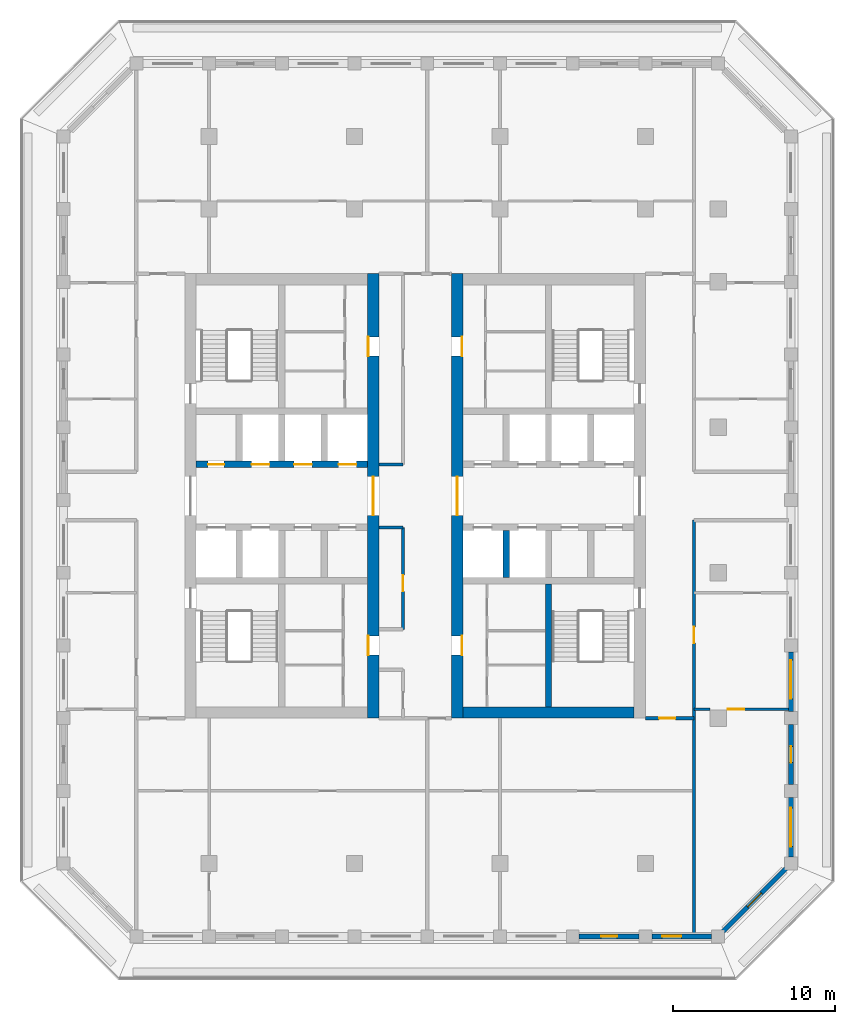
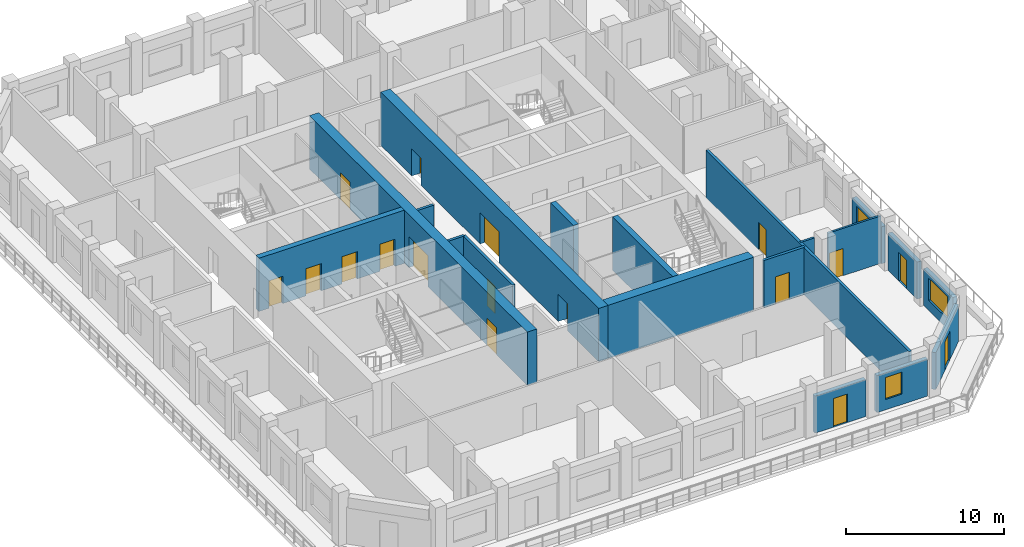
# One storey, part 4 of 17: 19 walls, 17 doors, 3 windows, 20 openings.
"""IFC4 building model written with IfcOpenShell, lengths in metres."""

from ifc_helpers import new_model, si_unit, direction, frame, frame_2d, origin, place, context, subcontext, project, spatial, rectangle, extrude, material, layer, layer_set, type_object, element, fill, save


model = new_model("IFC4")

# Units and contexts
model_context = context("Model", 3, precision=1e-05, world=origin(), true_north=direction((0.0, 1.0)))
body_context = subcontext(model_context, "Body", "Model", "MODEL_VIEW")
ifc_project = project(units=[si_unit("LENGTHUNIT", "METRE"), si_unit("AREAUNIT", "SQUARE_METRE"), si_unit("VOLUMEUNIT", "CUBIC_METRE"), si_unit("PLANEANGLEUNIT", "RADIAN"), si_unit("MASSUNIT", "GRAM", prefix="KILO")], contexts=[model_context])

# Site, building, storey
site_placement = place(None, origin())
site = spatial("IfcSite", under=ifc_project, at=site_placement, CompositionType="ELEMENT")
building_placement = place(site_placement, origin())
building = spatial("IfcBuilding", under=site, at=building_placement, Name="Corbel Stack Research Tower", CompositionType="ELEMENT")
storey_placement = place(building_placement, frame((0.0, 0.0, 243.89990234375)))
storey = spatial("IfcBuildingStorey", under=building, at=storey_placement, Name="L55", CompositionType="ELEMENT", Elevation=243.89990234375)

# Wall, openings, doors
ifc_material_1 = material(Name="Concrete C60/75", Category="concrete")
ifc_layer_1 = layer(ifc_material_1, 0.39990234375)
ifc_layer_set_1 = layer_set([ifc_layer_1], Name="Concrete C60/75")
wall_type_1 = type_object("IfcWallType", Name="CW-400-60", PredefinedType="SHEAR", material=ifc_layer_set_1)
wall_1_placement = place(storey_placement, frame((-9.800048828125, 6.699951171875, 0.0), z_axis=(0.0, 0.0, 1.0), x_axis=(1.0, 0.0, 0.0)))
wall_1 = element("IfcWall", 1, at=wall_1_placement, inside=storey, type_object=wall_type_1, Name="West core wall, lobby north L55", PredefinedType="SHEAR", context=body_context, shape_type="SweptSolid", body=[
    extrude(rectangle(XDim=10.60009765625, YDim=0.39990234375, at=frame_2d((5.300048828125, 0.0))), origin(), (0.0, 0.0, 1.0), 4.10009765625),
])
opening_1_placement = place(wall_1_placement, frame((3.4375, 0.0, 0.0)))
opening_1 = element("IfcOpeningElement", 2, at=opening_1_placement, cuts=wall_1, Name="Opening LD-HR1", PredefinedType="OPENING", context=body_context, shape_type="SweptSolid", body=[
    extrude(rectangle(XDim=1.10009765625, YDim=2.10009765625, at=frame_2d((0.550048828125, 1.050048828125))), frame((0.0, 0.2099609375, 0.0), z_axis=(0.0, -1.0, 0.0), x_axis=(1.0, 0.0, 0.0)), (0.0, 0.0, 1.0), 0.419921875),
])
opening_2_placement = place(wall_1_placement, frame((6.0625, 0.0, 0.0)))
opening_2 = element("IfcOpeningElement", 3, at=opening_2_placement, cuts=wall_1, Name="Opening LD-HR2", PredefinedType="OPENING", context=body_context, shape_type="SweptSolid", body=[
    extrude(rectangle(XDim=1.10009765625, YDim=2.10009765625, at=frame_2d((0.550048828125, 1.050048828125))), frame((0.0, 0.2099609375, 0.0), z_axis=(0.0, -1.0, 0.0), x_axis=(1.0, 0.0, 0.0)), (0.0, 0.0, 1.0), 0.419921875),
])
opening_3_placement = place(wall_1_placement, frame((8.8125, 0.0, 0.0)))
opening_3 = element("IfcOpeningElement", 4, at=opening_3_placement, cuts=wall_1, Name="Opening LD-HR3", PredefinedType="OPENING", context=body_context, shape_type="SweptSolid", body=[
    extrude(rectangle(XDim=1.10009765625, YDim=2.10009765625, at=frame_2d((0.550048828125, 1.050048828125))), frame((0.0, 0.2099609375, 0.0), z_axis=(0.0, -1.0, 0.0), x_axis=(1.0, 0.0, 0.0)), (0.0, 0.0, 1.0), 0.419921875),
])
opening_4_placement = place(wall_1_placement, frame((0.737548828125, 0.0, 0.0)))
opening_4 = element("IfcOpeningElement", 5, at=opening_4_placement, cuts=wall_1, Name="Opening CR-W12-N1", PredefinedType="OPENING", context=body_context, shape_type="SweptSolid", body=[
    extrude(rectangle(XDim=1.0, YDim=2.10009765625, at=frame_2d((0.5, 1.050048828125))), frame((0.0, 0.2099609375, 0.0), z_axis=(0.0, -1.0, 0.0), x_axis=(1.0, 0.0, 0.0)), (0.0, 0.0, 1.0), 0.419921875),
])
ifc_material_2 = material(Name="Stainless steel landing door", Category="steel")
door_type_1 = type_object("IfcDoorType", Name="Lift landing door 1100 x 2100", OperationType="DOUBLE_DOOR_SLIDING", PredefinedType="DOOR", material=ifc_material_2)
door_1_placement = place(opening_1_placement, origin())
door_1 = element("IfcDoor", 6, at=door_1_placement, inside=storey, type_object=door_type_1, Name="Landing door HR1", OperationType="DOUBLE_DOOR_SLIDING", OverallHeight=2.10009765625, OverallWidth=1.10009765625, PredefinedType="DOOR", context=body_context, shape_type="SweptSolid", body=[
    extrude(rectangle(XDim=1.10009765625, YDim=2.10009765625, at=frame_2d((0.550048828125, 1.050048828125))), frame((0.0, 0.02490234375, 0.0), z_axis=(0.0, -1.0, 0.0), x_axis=(1.0, 0.0, 0.0)), (0.0, 0.0, 1.0), 0.050048828125),
])
fill(opening_1, door_1)
door_2_placement = place(opening_2_placement, origin())
door_2 = element("IfcDoor", 7, at=door_2_placement, inside=storey, type_object=door_type_1, Name="Landing door HR2", OperationType="DOUBLE_DOOR_SLIDING", OverallHeight=2.10009765625, OverallWidth=1.10009765625, PredefinedType="DOOR", context=body_context, shape_type="SweptSolid", body=[
    extrude(rectangle(XDim=1.10009765625, YDim=2.10009765625, at=frame_2d((0.550048828125, 1.050048828125))), frame((0.0, 0.02490234375, 0.0), z_axis=(0.0, -1.0, 0.0), x_axis=(1.0, 0.0, 0.0)), (0.0, 0.0, 1.0), 0.050048828125),
])
fill(opening_2, door_2)
door_3_placement = place(opening_3_placement, origin())
door_3 = element("IfcDoor", 8, at=door_3_placement, inside=storey, type_object=door_type_1, Name="Landing door HR3", OperationType="DOUBLE_DOOR_SLIDING", OverallHeight=2.10009765625, OverallWidth=1.10009765625, PredefinedType="DOOR", context=body_context, shape_type="SweptSolid", body=[
    extrude(rectangle(XDim=1.10009765625, YDim=2.10009765625, at=frame_2d((0.550048828125, 1.050048828125))), frame((0.0, 0.02490234375, 0.0), z_axis=(0.0, -1.0, 0.0), x_axis=(1.0, 0.0, 0.0)), (0.0, 0.0, 1.0), 0.050048828125),
])
fill(opening_3, door_3)
ifc_material_3 = material(Name="Painted steel door", Category="steel")
door_type_2 = type_object("IfcDoorType", Name="Service door 1000 x 2100 FD60 left hand", OperationType="SINGLE_SWING_LEFT", PredefinedType="DOOR", material=ifc_material_3)
door_4_placement = place(opening_4_placement, origin())
door_4 = element("IfcDoor", 9, at=door_4_placement, inside=storey, type_object=door_type_2, Name="Laboratory consumables store door W core", OperationType="SINGLE_SWING_LEFT", OverallHeight=2.10009765625, OverallWidth=1.0, PredefinedType="DOOR", context=body_context, shape_type="SweptSolid", body=[
    extrude(rectangle(XDim=1.0, YDim=2.10009765625, at=frame_2d((0.5, 1.050048828125))), frame((0.0, 0.02490234375, 0.0), z_axis=(0.0, -1.0, 0.0), x_axis=(1.0, 0.0, 0.0)), (0.0, 0.0, 1.0), 0.050048828125),
])
fill(opening_4, door_4)

# Walls
wall_2_placement = place(storey_placement, frame((9.375, -0.300048828125, 0.0), z_axis=(0.0, 0.0, 1.0), x_axis=(0.0, 1.0, 0.0)))
element("IfcWall", 10, at=wall_2_placement, inside=storey, type_object=wall_type_1, Name="East core wall, south shaft 1 L55", PredefinedType="SHEAR", context=body_context, shape_type="SweptSolid", body=[
    extrude(rectangle(XDim=2.900146484375, YDim=0.39990234375, at=frame_2d((1.4501953125, 0.0))), origin(), (0.0, 0.0, 1.0), 4.10009765625),
])
wall_3_placement = place(storey_placement, frame((12.0, -8.300048828125, 0.0), z_axis=(0.0, 0.0, 1.0), x_axis=(0.0, 1.0, 0.0)))
element("IfcWall", 11, at=wall_3_placement, inside=storey, type_object=wall_type_1, Name="East core wall, south stair and WC L55", PredefinedType="SHEAR", context=body_context, shape_type="SweptSolid", body=[
    extrude(rectangle(XDim=7.60009765625, YDim=0.39990234375, at=frame_2d((3.800048828125, 0.0))), origin(), (0.0, 0.0, 1.0), 4.10009765625),
])

# Wall, openings, doors
ifc_material_4 = material(Name="Concrete C60/75", Category="concrete")
ifc_layer_2 = layer(ifc_material_4, 0.699951171875)
ifc_layer_set_2 = layer_set([ifc_layer_2], Name="Concrete C60/75")
wall_type_2 = type_object("IfcWallType", Name="CW-700-60", PredefinedType="SHEAR", material=ifc_layer_set_2)
wall_4_placement = place(storey_placement, frame((1.14990234375, -9.0, 0.0), z_axis=(0.0, 0.0, 1.0), x_axis=(0.0, 1.0, 0.0)))
wall_4 = element("IfcWall", 12, at=wall_4_placement, inside=storey, type_object=wall_type_2, Name="West core wall, east face L55", PredefinedType="SHEAR", context=body_context, shape_type="SweptSolid", body=[
    extrude(rectangle(XDim=27.5, YDim=0.699951171875, at=frame_2d((13.75, 0.0))), origin(), (0.0, 0.0, 1.0), 4.10009765625),
])
opening_5_placement = place(wall_4_placement, frame((12.550048828125, 0.0, 0.0)))
opening_5 = element("IfcOpeningElement", 13, at=opening_5_placement, cuts=wall_4, Name="Opening CD-W-E", PredefinedType="OPENING", context=body_context, shape_type="SweptSolid", body=[
    extrude(rectangle(XDim=2.39990234375, YDim=2.39990234375, at=frame_2d((1.199951171875, 1.199951171875))), frame((0.0, 0.35986328125, 0.0), z_axis=(0.0, -1.0, 0.0), x_axis=(1.0, 0.0, 0.0)), (0.0, 0.0, 1.0), 0.719970703125),
])
opening_6_placement = place(wall_4_placement, frame((3.89990234375, 0.0, 0.0)))
opening_6 = element("IfcOpeningElement", 14, at=opening_6_placement, cuts=wall_4, Name="Opening CR-W12-W1-1200", PredefinedType="OPENING", context=body_context, shape_type="SweptSolid", body=[
    extrude(rectangle(XDim=1.199951171875, YDim=2.10009765625, at=frame_2d((0.60009765625, 1.050048828125))), frame((0.0, 0.35986328125, 0.0), z_axis=(0.0, -1.0, 0.0), x_axis=(1.0, 0.0, 0.0)), (0.0, 0.0, 1.0), 0.719970703125),
])
opening_7_placement = place(wall_4_placement, frame((22.39990234375, 0.0, 0.0)))
opening_7 = element("IfcOpeningElement", 15, at=opening_7_placement, cuts=wall_4, Name="Opening CR-W12-R1-1200", PredefinedType="OPENING", context=body_context, shape_type="SweptSolid", body=[
    extrude(rectangle(XDim=1.199951171875, YDim=2.10009765625, at=frame_2d((0.60009765625, 1.050048828125))), frame((0.0, 0.35986328125, 0.0), z_axis=(0.0, -1.0, 0.0), x_axis=(1.0, 0.0, 0.0)), (0.0, 0.0, 1.0), 0.719970703125),
])
ifc_material_5 = material(Name="Painted steel fire door", Category="steel")
door_type_3 = type_object("IfcDoorType", Name="Lobby door pair 2400 x 2400 FD30S", OperationType="DOUBLE_DOOR_DOUBLE_SWING", PredefinedType="DOOR", material=ifc_material_5)
door_5_placement = place(opening_5_placement, origin())
door_5 = element("IfcDoor", 16, at=door_5_placement, inside=storey, type_object=door_type_3, Name="Lift lobby door W core E", OperationType="DOUBLE_DOOR_DOUBLE_SWING", OverallHeight=2.39990234375, OverallWidth=2.39990234375, PredefinedType="DOOR", context=body_context, shape_type="SweptSolid", body=[
    extrude(rectangle(XDim=2.39990234375, YDim=2.39990234375, at=frame_2d((1.199951171875, 1.199951171875))), frame((0.0, 0.02490234375, 0.0), z_axis=(0.0, -1.0, 0.0), x_axis=(1.0, 0.0, 0.0)), (0.0, 0.0, 1.0), 0.050048828125),
])
fill(opening_5, door_5)
ifc_material_6 = material(Name="Painted steel door", Category="steel")
door_type_4 = type_object("IfcDoorType", Name="Service door 1200 x 2100 FD30 left hand", OperationType="SINGLE_SWING_LEFT", PredefinedType="DOOR", material=ifc_material_6)
door_6_placement = place(opening_7_placement, origin())
door_6 = element("IfcDoor", 17, at=door_6_placement, inside=storey, type_object=door_type_4, Name="Service passage door W core", OperationType="SINGLE_SWING_LEFT", OverallHeight=2.10009765625, OverallWidth=1.199951171875, PredefinedType="DOOR", context=body_context, shape_type="SweptSolid", body=[
    extrude(rectangle(XDim=1.199951171875, YDim=2.10009765625, at=frame_2d((0.60009765625, 1.050048828125))), frame((0.0, 0.3251953125, 0.0), z_axis=(0.0, -1.0, 0.0), x_axis=(1.0, 0.0, 0.0)), (0.0, 0.0, 1.0), 0.050048828125),
])
fill(opening_7, door_6)
ifc_material_7 = material(Name="Painted timber door", Category="wood")
door_type_5 = type_object("IfcDoorType", Name="WC door 1200 x 2100 left hand", OperationType="SINGLE_SWING_LEFT", PredefinedType="DOOR", material=ifc_material_7)
door_7_placement = place(opening_6_placement, origin())
door_7 = element("IfcDoor", 18, at=door_7_placement, inside=storey, type_object=door_type_5, Name="WC lobby door W core", OperationType="SINGLE_SWING_LEFT", OverallHeight=2.10009765625, OverallWidth=1.199951171875, PredefinedType="DOOR", context=body_context, shape_type="SweptSolid", body=[
    extrude(rectangle(XDim=1.199951171875, YDim=2.10009765625, at=frame_2d((0.60009765625, 1.050048828125))), frame((0.0, 0.3251953125, 0.0), z_axis=(0.0, -1.0, 0.0), x_axis=(1.0, 0.0, 0.0)), (0.0, 0.0, 1.0), 0.050048828125),
])
fill(opening_6, door_7)

wall_5_placement = place(storey_placement, frame((6.35009765625, -9.0, 0.0), z_axis=(0.0, 0.0, 1.0), x_axis=(0.0, 1.0, 0.0)))
wall_5 = element("IfcWall", 19, at=wall_5_placement, inside=storey, type_object=wall_type_2, Name="East core wall, west face L55", PredefinedType="SHEAR", context=body_context, shape_type="SweptSolid", body=[
    extrude(rectangle(XDim=27.5, YDim=0.699951171875, at=frame_2d((13.75, 0.0))), origin(), (0.0, 0.0, 1.0), 4.10009765625),
])
opening_8_placement = place(wall_5_placement, frame((12.550048828125, 0.0, 0.0)))
opening_8 = element("IfcOpeningElement", 20, at=opening_8_placement, cuts=wall_5, Name="Opening CD-E-W", PredefinedType="OPENING", context=body_context, shape_type="SweptSolid", body=[
    extrude(rectangle(XDim=2.39990234375, YDim=2.39990234375, at=frame_2d((1.199951171875, 1.199951171875))), frame((0.0, 0.35986328125, 0.0), z_axis=(0.0, -1.0, 0.0), x_axis=(1.0, 0.0, 0.0)), (0.0, 0.0, 1.0), 0.719970703125),
])
opening_9_placement = place(wall_5_placement, frame((3.89990234375, 0.0, 0.0)))
opening_9 = element("IfcOpeningElement", 21, at=opening_9_placement, cuts=wall_5, Name="Opening CR-E12-W1-1200", PredefinedType="OPENING", context=body_context, shape_type="SweptSolid", body=[
    extrude(rectangle(XDim=1.199951171875, YDim=2.10009765625, at=frame_2d((0.60009765625, 1.050048828125))), frame((0.0, 0.35986328125, 0.0), z_axis=(0.0, -1.0, 0.0), x_axis=(1.0, 0.0, 0.0)), (0.0, 0.0, 1.0), 0.719970703125),
])
opening_10_placement = place(wall_5_placement, frame((22.39990234375, 0.0, 0.0)))
opening_10 = element("IfcOpeningElement", 22, at=opening_10_placement, cuts=wall_5, Name="Opening CR-E12-R1-1200", PredefinedType="OPENING", context=body_context, shape_type="SweptSolid", body=[
    extrude(rectangle(XDim=1.199951171875, YDim=2.10009765625, at=frame_2d((0.60009765625, 1.050048828125))), frame((0.0, 0.35986328125, 0.0), z_axis=(0.0, -1.0, 0.0), x_axis=(1.0, 0.0, 0.0)), (0.0, 0.0, 1.0), 0.719970703125),
])
door_8_placement = place(opening_8_placement, origin())
door_8 = element("IfcDoor", 23, at=door_8_placement, inside=storey, type_object=door_type_3, Name="Lift lobby door E core W", OperationType="DOUBLE_DOOR_DOUBLE_SWING", OverallHeight=2.39990234375, OverallWidth=2.39990234375, PredefinedType="DOOR", context=body_context, shape_type="SweptSolid", body=[
    extrude(rectangle(XDim=2.39990234375, YDim=2.39990234375, at=frame_2d((1.199951171875, 1.199951171875))), frame((0.0, 0.02490234375, 0.0), z_axis=(0.0, -1.0, 0.0), x_axis=(1.0, 0.0, 0.0)), (0.0, 0.0, 1.0), 0.050048828125),
])
fill(opening_8, door_8)
ifc_material_8 = material(Name="Painted steel door", Category="steel")
door_type_6 = type_object("IfcDoorType", Name="Service door 1200 x 2100 FD30 right hand", OperationType="SINGLE_SWING_RIGHT", PredefinedType="DOOR", material=ifc_material_8)
door_9_placement = place(opening_10_placement, origin())
door_9 = element("IfcDoor", 24, at=door_9_placement, inside=storey, type_object=door_type_6, Name="Service passage door E core", OperationType="SINGLE_SWING_RIGHT", OverallHeight=2.10009765625, OverallWidth=1.199951171875, PredefinedType="DOOR", context=body_context, shape_type="SweptSolid", body=[
    extrude(rectangle(XDim=1.199951171875, YDim=2.10009765625, at=frame_2d((0.60009765625, 1.050048828125))), frame((0.0, -0.27490234375, 0.0), z_axis=(0.0, -1.0, 0.0), x_axis=(1.0, 0.0, 0.0)), (0.0, 0.0, 1.0), 0.050048828125),
])
fill(opening_10, door_9)
ifc_material_9 = material(Name="Painted timber door", Category="wood")
door_type_7 = type_object("IfcDoorType", Name="WC door 1200 x 2100 right hand", OperationType="SINGLE_SWING_RIGHT", PredefinedType="DOOR", material=ifc_material_9)
door_10_placement = place(opening_9_placement, origin())
door_10 = element("IfcDoor", 25, at=door_10_placement, inside=storey, type_object=door_type_7, Name="WC lobby door E core", OperationType="SINGLE_SWING_RIGHT", OverallHeight=2.10009765625, OverallWidth=1.199951171875, PredefinedType="DOOR", context=body_context, shape_type="SweptSolid", body=[
    extrude(rectangle(XDim=1.199951171875, YDim=2.10009765625, at=frame_2d((0.60009765625, 1.050048828125))), frame((0.0, -0.27490234375, 0.0), z_axis=(0.0, -1.0, 0.0), x_axis=(1.0, 0.0, 0.0)), (0.0, 0.0, 1.0), 0.050048828125),
])
fill(opening_9, door_10)

# Wall
wall_6_placement = place(storey_placement, frame((6.699951171875, -8.64990234375, 0.0), z_axis=(0.0, 0.0, 1.0), x_axis=(1.0, 0.0, 0.0)))
element("IfcWall", 26, at=wall_6_placement, inside=storey, type_object=wall_type_2, Name="East core wall, south end L55", PredefinedType="SHEAR", context=body_context, shape_type="SweptSolid", body=[
    extrude(rectangle(XDim=10.60009765625, YDim=0.699951171875, at=frame_2d((5.300048828125, 0.0))), origin(), (0.0, 0.0, 1.0), 4.10009765625),
])

# Wall, opening, door
ifc_material_10 = material(Name="Fire-rated gypsum board partition on steel studs", Category="steel")
ifc_layer_3 = layer(ifc_material_10, 0.199951171875)
ifc_layer_set_3 = layer_set([ifc_layer_3], Name="Fire-rated gypsum board partition on steel studs")
wall_type_3 = type_object("IfcWallType", Name="Fire-rated partition 200 EI 60", PredefinedType="PARTITIONING", material=ifc_layer_set_3)
wall_7_placement = place(storey_placement, frame((3.0, -3.5, 0.0), z_axis=(0.0, 0.0, 1.0), x_axis=(0.0, 1.0, 0.0)))
wall_7 = element("IfcWall", 27, at=wall_7_placement, inside=storey, type_object=wall_type_3, Name="Partition L55-009", PredefinedType="PARTITIONING", context=body_context, shape_type="SweptSolid", body=[
    extrude(rectangle(XDim=6.300048828125, YDim=0.199951171875, at=frame_2d((3.14990234375, 0.0))), origin(), (0.0, 0.0, 1.0), 3.650146484375),
])
opening_11_placement = place(wall_7_placement, frame((2.35009765625, 0.0, 0.0)))
opening_11 = element("IfcOpeningElement", 28, at=opening_11_placement, cuts=wall_7, Name="Opening B7V1-016", PredefinedType="OPENING", context=body_context, shape_type="SweptSolid", body=[
    extrude(rectangle(XDim=1.0, YDim=2.10009765625, at=frame_2d((0.5, 1.050048828125))), frame((0.0, 0.10986328125, 0.0), z_axis=(0.0, -1.0, 0.0), x_axis=(1.0, 0.0, 0.0)), (0.0, 0.0, 1.0), 0.219970703125),
])
ifc_material_11 = material(Name="Painted steel fire door", Category="steel")
door_type_8 = type_object("IfcDoorType", Name="Fire door FD30S 1000 x 2100", OperationType="NOTDEFINED", PredefinedType="DOOR", material=ifc_material_11)
door_11_placement = place(opening_11_placement, origin())
door_11 = element("IfcDoor", 29, at=door_11_placement, inside=storey, type_object=door_type_8, Name="Door B7V1-016", OperationType="SINGLE_SWING_LEFT", OverallHeight=2.10009765625, OverallWidth=1.0, PredefinedType="DOOR", context=body_context, shape_type="SweptSolid", body=[
    extrude(rectangle(XDim=1.0, YDim=2.10009765625, at=frame_2d((0.5, 1.050048828125))), frame((0.0, 0.02490234375, 0.0), z_axis=(0.0, -1.0, 0.0), x_axis=(1.0, 0.0, 0.0)), (0.0, 0.0, 1.0), 0.050048828125),
])
fill(opening_11, door_11)

wall_8_placement = place(storey_placement, frame((21.0, 3.25, 0.0), z_axis=(0.0, 0.0, 1.0), x_axis=(0.0, -1.0, 0.0)))
wall_8 = element("IfcWall", 30, at=wall_8_placement, inside=storey, type_object=wall_type_3, Name="Partition L55-018", PredefinedType="PARTITIONING", context=body_context, shape_type="SweptSolid", body=[
    extrude(rectangle(XDim=25.60009765625, YDim=0.199951171875, at=frame_2d((12.800048828125, 0.0))), origin(), (0.0, 0.0, 1.0), 3.650146484375),
])
opening_12_placement = place(wall_8_placement, frame((6.60009765625, 0.0, 0.0)))
opening_12 = element("IfcOpeningElement", 31, at=opening_12_placement, cuts=wall_8, Name="Opening B7V1-026", PredefinedType="OPENING", context=body_context, shape_type="SweptSolid", body=[
    extrude(rectangle(XDim=1.0, YDim=2.10009765625, at=frame_2d((0.5, 1.050048828125))), frame((0.0, 0.10986328125, 0.0), z_axis=(0.0, -1.0, 0.0), x_axis=(1.0, 0.0, 0.0)), (0.0, 0.0, 1.0), 0.219970703125),
])
door_12_placement = place(opening_12_placement, origin())
door_12 = element("IfcDoor", 32, at=door_12_placement, inside=storey, type_object=door_type_8, Name="Door B7V1-026", OperationType="SINGLE_SWING_LEFT", OverallHeight=2.10009765625, OverallWidth=1.0, PredefinedType="DOOR", context=body_context, shape_type="SweptSolid", body=[
    extrude(rectangle(XDim=1.0, YDim=2.10009765625, at=frame_2d((0.5, 1.050048828125))), frame((0.0, 0.02490234375, 0.0), z_axis=(0.0, -1.0, 0.0), x_axis=(1.0, 0.0, 0.0)), (0.0, 0.0, 1.0), 0.050048828125),
])
fill(opening_12, door_12)

wall_9_placement = place(storey_placement, frame((21.0, -9.0, 0.0), z_axis=(0.0, 0.0, 1.0), x_axis=(-1.0, 0.0, 0.0)))
wall_9 = element("IfcWall", 33, at=wall_9_placement, inside=storey, type_object=wall_type_3, Name="Partition L55-023", PredefinedType="PARTITIONING", context=body_context, shape_type="SweptSolid", body=[
    extrude(rectangle(XDim=3.0, YDim=0.199951171875, at=frame_2d((1.5, 0.0))), origin(), (0.0, 0.0, 1.0), 3.650146484375),
])
opening_13_placement = place(wall_9_placement, frame((1.14990234375, 0.0, 0.0)))
opening_13 = element("IfcOpeningElement", 34, at=opening_13_placement, cuts=wall_9, Name="Opening B7V1-010", PredefinedType="OPENING", context=body_context, shape_type="SweptSolid", body=[
    extrude(rectangle(XDim=1.0, YDim=2.10009765625, at=frame_2d((0.5, 1.050048828125))), frame((0.0, 0.10986328125, 0.0), z_axis=(0.0, -1.0, 0.0), x_axis=(1.0, 0.0, 0.0)), (0.0, 0.0, 1.0), 0.219970703125),
])
door_13_placement = place(opening_13_placement, origin())
door_13 = element("IfcDoor", 35, at=door_13_placement, inside=storey, type_object=door_type_8, Name="Door B7V1-010", OperationType="SINGLE_SWING_RIGHT", OverallHeight=2.10009765625, OverallWidth=1.0, PredefinedType="DOOR", context=body_context, shape_type="SweptSolid", body=[
    extrude(rectangle(XDim=1.0, YDim=2.10009765625, at=frame_2d((0.5, 1.050048828125))), frame((0.0, 0.02490234375, 0.0), z_axis=(0.0, -1.0, 0.0), x_axis=(1.0, 0.0, 0.0)), (0.0, 0.0, 1.0), 0.050048828125),
])
fill(opening_13, door_13)

# Walls
for number, where, z_axis, x_axis, name in (
    (36, (1.5, 2.800048828125, 0.0), (0.0, 0.0, 1.0), (1.0, 0.0, 0.0), "Partition L55-031"),
    (37, (1.5, 6.699951171875, 0.0), (0.0, 0.0, 1.0), (1.0, 0.0, 0.0), "Partition L55-036"),
):
    element("IfcWall", number, at=place(storey_placement, frame(where, z_axis=z_axis, x_axis=x_axis)), inside=storey, type_object=wall_type_3, Name=name, PredefinedType="PARTITIONING", context=body_context, shape_type="SweptSolid", body=[
        extrude(rectangle(XDim=1.5, YDim=0.199951171875, at=frame_2d((0.75, 0.0))), origin(), (0.0, 0.0, 1.0), 3.650146484375),
    ])
ifc_material_12 = material(Name="Gypsum board partition on steel studs", Category="steel")
ifc_layer_4 = layer(ifc_material_12, 0.14990234375)
ifc_layer_set_4 = layer_set([ifc_layer_4], Name="Gypsum board partition on steel studs")
wall_type_4 = type_object("IfcWallType", Name="Partition 150", PredefinedType="PARTITIONING", material=ifc_layer_set_4)
wall_10_placement = place(storey_placement, frame((21.0, -8.449951171875, 0.0), z_axis=(0.0, 0.0, 1.0), x_axis=(1.0, 0.0, 0.0)))
element("IfcWall", 38, at=wall_10_placement, inside=storey, type_object=wall_type_4, Name="Partition L55-025", PredefinedType="PARTITIONING", context=body_context, shape_type="SweptSolid", body=[
    extrude(rectangle(XDim=1.0, YDim=0.14990234375, at=frame_2d((0.5, 0.0))), origin(), (0.0, 0.0, 1.0), 3.650146484375),
])

# Wall, opening, door
wall_11_placement = place(storey_placement, frame((26.85009765625, -8.449951171875, 0.0), z_axis=(0.0, 0.0, 1.0), x_axis=(-1.0, 0.0, 0.0)))
wall_11 = element("IfcWall", 39, at=wall_11_placement, inside=storey, type_object=wall_type_4, Name="Partition L55-026", PredefinedType="PARTITIONING", context=body_context, shape_type="SweptSolid", body=[
    extrude(rectangle(XDim=3.85009765625, YDim=0.14990234375, at=frame_2d((1.925048828125, 0.0))), origin(), (0.0, 0.0, 1.0), 3.650146484375),
])
opening_14_placement = place(wall_11_placement, frame((2.75, 0.0, 0.0)))
opening_14 = element("IfcOpeningElement", 40, at=opening_14_placement, cuts=wall_11, Name="Opening B7V1-012", PredefinedType="OPENING", context=body_context, shape_type="SweptSolid", body=[
    extrude(rectangle(XDim=1.0, YDim=2.10009765625, at=frame_2d((0.5, 1.050048828125))), frame((0.0, 0.0849609375, 0.0), z_axis=(0.0, -1.0, 0.0), x_axis=(1.0, 0.0, 0.0)), (0.0, 0.0, 1.0), 0.169921875),
])
ifc_material_13 = material(Name="Painted timber door", Category="wood")
door_type_9 = type_object("IfcDoorType", Name="Single door 1000 x 2100", OperationType="NOTDEFINED", PredefinedType="DOOR", material=ifc_material_13)
door_14_placement = place(opening_14_placement, origin())
door_14 = element("IfcDoor", 41, at=door_14_placement, inside=storey, type_object=door_type_9, Name="Door B7V1-012", OperationType="SINGLE_SWING_RIGHT", OverallHeight=2.10009765625, OverallWidth=1.0, PredefinedType="DOOR", context=body_context, shape_type="SweptSolid", body=[
    extrude(rectangle(XDim=1.0, YDim=2.10009765625, at=frame_2d((0.5, 1.050048828125))), frame((0.0, 0.02490234375, 0.0), z_axis=(0.0, -1.0, 0.0), x_axis=(1.0, 0.0, 0.0)), (0.0, 0.0, 1.0), 0.050048828125),
])
fill(opening_14, door_14)

ifc_material_14 = material(Name="Concrete C45/55", Category="concrete")
ifc_layer_5 = layer(ifc_material_14, 0.300048828125)
ifc_layer_set_5 = layer_set([ifc_layer_5], Name="Concrete C45/55")
wall_type_5 = type_object("IfcWallType", Name="Terracotta-faced concrete wall 300", PredefinedType="SOLIDWALL", material=ifc_layer_set_5)
wall_12_placement = place(storey_placement, frame((17.60009765625, -22.5, 0.0), z_axis=(0.0, 0.0, 1.0), x_axis=(-1.0, 0.0, 0.0)))
wall_12 = element("IfcWall", 42, at=wall_12_placement, inside=storey, type_object=wall_type_5, Name="Facade wall L55 S07", PredefinedType="SOLIDWALL", context=body_context, shape_type="SweptSolid", body=[
    extrude(rectangle(XDim=3.7001953125, YDim=0.300048828125, at=frame_2d((1.85009765625, 0.0))), origin(), (0.0, 0.0, 1.0), 2.85009765625),
])
opening_15_placement = place(wall_12_placement, frame((1.35009765625, 0.0, 0.0)))
opening_15 = element("IfcOpeningElement", 43, at=opening_15_placement, cuts=wall_12, Name="Opening L55-B02", PredefinedType="OPENING", context=body_context, shape_type="SweptSolid", body=[
    extrude(rectangle(XDim=1.0, YDim=2.199951171875, at=frame_2d((0.5, 1.10009765625))), frame((0.0, 0.159912109375, 0.0), z_axis=(0.0, -1.0, 0.0), x_axis=(1.0, 0.0, 0.0)), (0.0, 0.0, 1.0), 0.320068359375),
])
ifc_material_15 = material(Name="Aluminium frame, clear double glazing", Category="aluminium")
door_type_10 = type_object("IfcDoorType", Name="Balcony door BD1 1000 x 2200", OperationType="NOTDEFINED", PredefinedType="DOOR", material=ifc_material_15)
door_15_placement = place(opening_15_placement, origin())
door_15 = element("IfcDoor", 44, at=door_15_placement, inside=storey, type_object=door_type_10, Name="Balcony door L55-B02", OperationType="SINGLE_SWING_RIGHT", OverallHeight=2.199951171875, OverallWidth=1.0, PredefinedType="DOOR", context=body_context, shape_type="SweptSolid", body=[
    extrude(rectangle(XDim=1.0, YDim=2.199951171875, at=frame_2d((0.5, 1.10009765625))), frame((0.0, 0.02490234375, 0.0), z_axis=(0.0, -1.0, 0.0), x_axis=(1.0, 0.0, 0.0)), (0.0, 0.0, 1.0), 0.050048828125),
])
fill(opening_15, door_15)

# Wall, opening, window
wall_13_placement = place(storey_placement, frame((22.10009765625, -22.5, 0.0), z_axis=(0.0, 0.0, 1.0), x_axis=(-1.0, 0.0, 0.0)))
wall_13 = element("IfcWall", 45, at=wall_13_placement, inside=storey, type_object=wall_type_5, Name="Facade wall L55 S08", PredefinedType="SOLIDWALL", context=body_context, shape_type="SweptSolid", body=[
    extrude(rectangle(XDim=3.7001953125, YDim=0.300048828125, at=frame_2d((1.85009765625, 0.0))), origin(), (0.0, 0.0, 1.0), 2.85009765625),
])
opening_16_placement = place(wall_13_placement, frame((1.875, 0.0, 0.800048828125)))
opening_16 = element("IfcOpeningElement", 46, at=opening_16_placement, cuts=wall_13, Name="Opening W2", PredefinedType="OPENING", context=body_context, shape_type="SweptSolid", body=[
    extrude(rectangle(XDim=1.199951171875, YDim=1.699951171875, at=frame_2d((0.60009765625, 0.85009765625))), frame((0.0, 0.159912109375, 0.0), z_axis=(0.0, -1.0, 0.0), x_axis=(1.0, 0.0, 0.0)), (0.0, 0.0, 1.0), 0.320068359375),
])
ifc_material_16 = material(Name="Aluminium frame, clear double glazing", Category="aluminium")
window_type_1 = type_object("IfcWindowType", Name="Window W2 1200 x 1700", PartitioningType="SINGLE_PANEL", PredefinedType="WINDOW", material=ifc_material_16)
window_1_placement = place(opening_16_placement, origin())
window_1 = element("IfcWindow", 47, at=window_1_placement, inside=storey, type_object=window_type_1, Name="Window W2 L55 S08", OverallHeight=1.699951171875, OverallWidth=1.199951171875, PartitioningType="SINGLE_PANEL", PredefinedType="WINDOW", context=body_context, shape_type="SweptSolid", body=[
    extrude(rectangle(XDim=1.199951171875, YDim=1.699951171875, at=frame_2d((0.60009765625, 0.85009765625))), frame((0.0, 0.030029296875, 0.0), z_axis=(0.0, -1.0, 0.0), x_axis=(1.0, 0.0, 0.0)), (0.0, 0.0, 1.0), 0.06005859375),
])
fill(opening_16, window_1)

# Wall, opening, door
wall_14_placement = place(storey_placement, frame((26.7060546875, -18.2939453125, 0.0), z_axis=(0.0, 0.0, 1.0), x_axis=(-0.707106781187, -0.707106781187, 0.0)))
wall_14 = element("IfcWall", 48, at=wall_14_placement, inside=storey, type_object=wall_type_5, Name="Facade wall L55 SE01", PredefinedType="SOLIDWALL", context=body_context, shape_type="SweptSolid", body=[
    extrude(rectangle(XDim=5.532470703125, YDim=0.300048828125, at=frame_2d((2.76611328125, 0.0))), origin(), (0.0, 0.0, 1.0), 2.85009765625),
])
opening_17_placement = place(wall_14_placement, frame((2.166259765625, 0.0, 0.0)))
opening_17 = element("IfcOpeningElement", 49, at=opening_17_placement, cuts=wall_14, Name="Opening L55-B03", PredefinedType="OPENING", context=body_context, shape_type="SweptSolid", body=[
    extrude(rectangle(XDim=1.199951171875, YDim=2.199951171875, at=frame_2d((0.60009765625, 1.10009765625))), frame((0.0, 0.159912109375, 0.0), z_axis=(0.0, -1.0, 0.0), x_axis=(1.0, 0.0, 0.0)), (0.0, 0.0, 1.0), 0.320068359375),
])
ifc_material_17 = material(Name="Aluminium frame, clear double glazing", Category="aluminium")
door_type_11 = type_object("IfcDoorType", Name="Balcony door BD2 1200 x 2200", OperationType="NOTDEFINED", PredefinedType="DOOR", material=ifc_material_17)
door_16_placement = place(opening_17_placement, origin())
door_16 = element("IfcDoor", 50, at=door_16_placement, inside=storey, type_object=door_type_11, Name="Balcony door L55-B03", OperationType="SINGLE_SWING_RIGHT", OverallHeight=2.199951171875, OverallWidth=1.199951171875, PredefinedType="DOOR", context=body_context, shape_type="SweptSolid", body=[
    extrude(rectangle(XDim=1.199951171875, YDim=2.199951171875, at=frame_2d((0.60009765625, 1.10009765625))), frame((0.0, 0.02490234375, 0.0), z_axis=(0.0, -1.0, 0.0), x_axis=(1.0, 0.0, 0.0)), (0.0, 0.0, 1.0), 0.050048828125),
])
fill(opening_17, door_16)

# Wall, opening, window
wall_15_placement = place(storey_placement, frame((27.0, -13.89990234375, 0.0), z_axis=(0.0, 0.0, 1.0), x_axis=(0.0, -1.0, 0.0)))
wall_15 = element("IfcWall", 51, at=wall_15_placement, inside=storey, type_object=wall_type_5, Name="Facade wall L55 E01", PredefinedType="SOLIDWALL", context=body_context, shape_type="SweptSolid", body=[
    extrude(rectangle(XDim=3.7001953125, YDim=0.300048828125, at=frame_2d((1.85009765625, 0.0))), origin(), (0.0, 0.0, 1.0), 2.85009765625),
])
opening_18_placement = place(wall_15_placement, frame((0.64990234375, 0.0, 0.800048828125)))
opening_18 = element("IfcOpeningElement", 52, at=opening_18_placement, cuts=wall_15, Name="Opening W1", PredefinedType="OPENING", context=body_context, shape_type="SweptSolid", body=[
    extrude(rectangle(XDim=2.39990234375, YDim=1.699951171875, at=frame_2d((1.199951171875, 0.85009765625))), frame((0.0, 0.159912109375, 0.0), z_axis=(0.0, -1.0, 0.0), x_axis=(1.0, 0.0, 0.0)), (0.0, 0.0, 1.0), 0.320068359375),
])
ifc_material_18 = material(Name="Aluminium frame, clear double glazing", Category="aluminium")
window_type_2 = type_object("IfcWindowType", Name="Window W1 2400 x 1700", PartitioningType="SINGLE_PANEL", PredefinedType="WINDOW", material=ifc_material_18)
window_2_placement = place(opening_18_placement, origin())
window_2 = element("IfcWindow", 53, at=window_2_placement, inside=storey, type_object=window_type_2, Name="Window W1 L55 E01", OverallHeight=1.699951171875, OverallWidth=2.39990234375, PartitioningType="SINGLE_PANEL", PredefinedType="WINDOW", context=body_context, shape_type="SweptSolid", body=[
    extrude(rectangle(XDim=2.39990234375, YDim=1.699951171875, at=frame_2d((1.199951171875, 0.85009765625))), frame((0.0, 0.030029296875, 0.0), z_axis=(0.0, -1.0, 0.0), x_axis=(1.0, 0.0, 0.0)), (0.0, 0.0, 1.0), 0.06005859375),
])
fill(opening_18, window_2)

# Wall, opening, door
wall_16_placement = place(storey_placement, frame((27.0, -9.39990234375, 0.0), z_axis=(0.0, 0.0, 1.0), x_axis=(0.0, -1.0, 0.0)))
wall_16 = element("IfcWall", 54, at=wall_16_placement, inside=storey, type_object=wall_type_5, Name="Facade wall L55 E02", PredefinedType="SOLIDWALL", context=body_context, shape_type="SweptSolid", body=[
    extrude(rectangle(XDim=3.7001953125, YDim=0.300048828125, at=frame_2d((1.85009765625, 0.0))), origin(), (0.0, 0.0, 1.0), 2.85009765625),
])
opening_19_placement = place(wall_16_placement, frame((1.35009765625, 0.0, 0.0)))
opening_19 = element("IfcOpeningElement", 55, at=opening_19_placement, cuts=wall_16, Name="Opening L55-B04", PredefinedType="OPENING", context=body_context, shape_type="SweptSolid", body=[
    extrude(rectangle(XDim=1.0, YDim=2.199951171875, at=frame_2d((0.5, 1.10009765625))), frame((0.0, 0.159912109375, 0.0), z_axis=(0.0, -1.0, 0.0), x_axis=(1.0, 0.0, 0.0)), (0.0, 0.0, 1.0), 0.320068359375),
])
door_17_placement = place(opening_19_placement, origin())
door_17 = element("IfcDoor", 56, at=door_17_placement, inside=storey, type_object=door_type_10, Name="Balcony door L55-B04", OperationType="SINGLE_SWING_LEFT", OverallHeight=2.199951171875, OverallWidth=1.0, PredefinedType="DOOR", context=body_context, shape_type="SweptSolid", body=[
    extrude(rectangle(XDim=1.0, YDim=2.199951171875, at=frame_2d((0.5, 1.10009765625))), frame((0.0, 0.02490234375, 0.0), z_axis=(0.0, -1.0, 0.0), x_axis=(1.0, 0.0, 0.0)), (0.0, 0.0, 1.0), 0.050048828125),
])
fill(opening_19, door_17)

# Wall, opening, window
wall_17_placement = place(storey_placement, frame((27.0, -4.89990234375, 0.0), z_axis=(0.0, 0.0, 1.0), x_axis=(0.0, -1.0, 0.0)))
wall_17 = element("IfcWall", 57, at=wall_17_placement, inside=storey, type_object=wall_type_5, Name="Facade wall L55 E03", PredefinedType="SOLIDWALL", context=body_context, shape_type="SweptSolid", body=[
    extrude(rectangle(XDim=3.7001953125, YDim=0.300048828125, at=frame_2d((1.85009765625, 0.0))), origin(), (0.0, 0.0, 1.0), 2.85009765625),
])
opening_20_placement = place(wall_17_placement, frame((0.512451171875, 0.0, 0.800048828125)))
opening_20 = element("IfcOpeningElement", 58, at=opening_20_placement, cuts=wall_17, Name="Opening W1", PredefinedType="OPENING", context=body_context, shape_type="SweptSolid", body=[
    extrude(rectangle(XDim=2.39990234375, YDim=1.699951171875, at=frame_2d((1.199951171875, 0.85009765625))), frame((0.0, 0.159912109375, 0.0), z_axis=(0.0, -1.0, 0.0), x_axis=(1.0, 0.0, 0.0)), (0.0, 0.0, 1.0), 0.320068359375),
])
window_3_placement = place(opening_20_placement, origin())
window_3 = element("IfcWindow", 59, at=window_3_placement, inside=storey, type_object=window_type_2, Name="Window W1 L55 E03", OverallHeight=1.699951171875, OverallWidth=2.39990234375, PartitioningType="SINGLE_PANEL", PredefinedType="WINDOW", context=body_context, shape_type="SweptSolid", body=[
    extrude(rectangle(XDim=2.39990234375, YDim=1.699951171875, at=frame_2d((1.199951171875, 0.85009765625))), frame((0.0, 0.030029296875, 0.0), z_axis=(0.0, -1.0, 0.0), x_axis=(1.0, 0.0, 0.0)), (0.0, 0.0, 1.0), 0.06005859375),
])
fill(opening_20, window_3)

save(model, "model.ifc")
